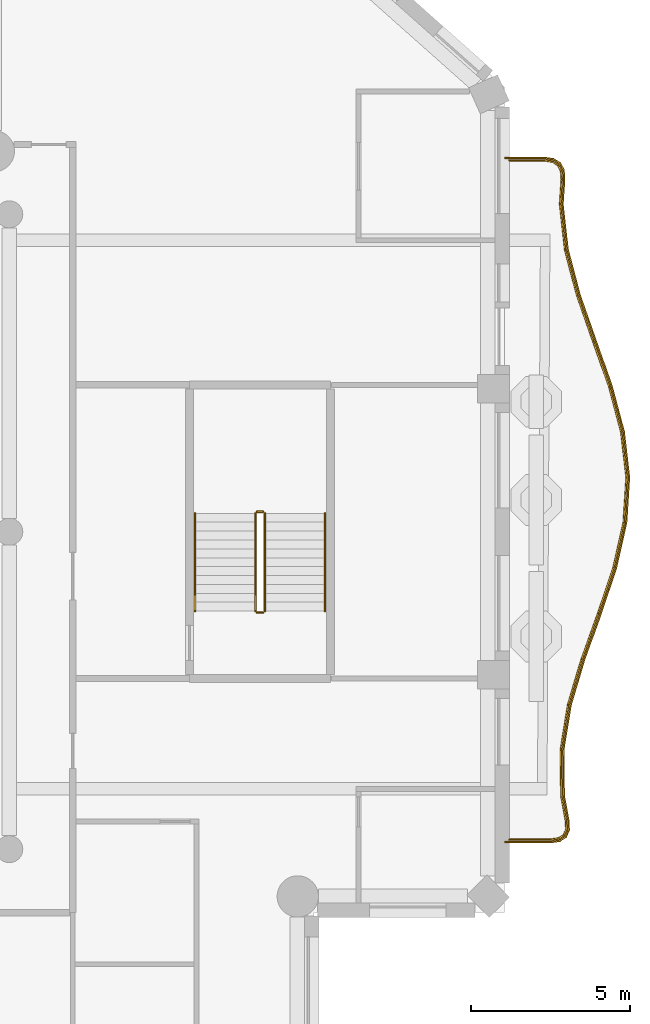
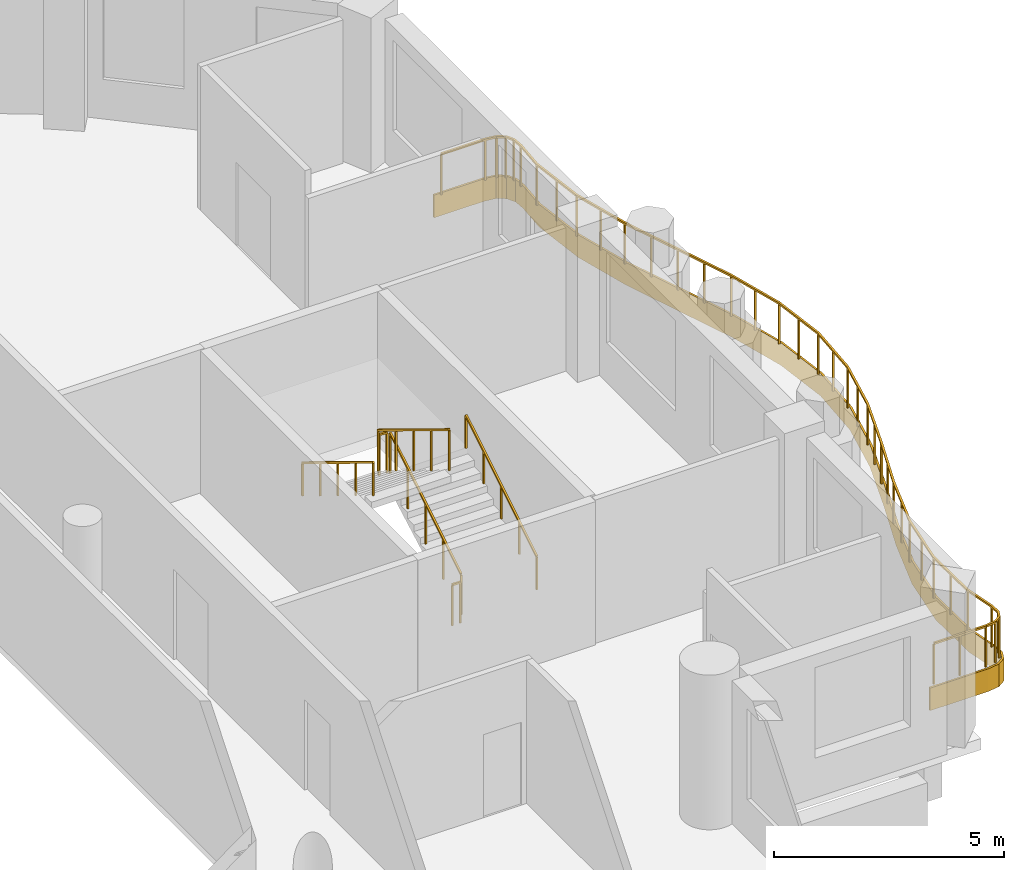
# One storey, part 12 of 14: 7 railings, 1 covering.
"""IFC4 building model written with IfcOpenShell, lengths in metres."""

from ifc_helpers import new_model, si_unit, direction, frame, origin, origin_2d, place, context, subcontext, project, spatial, polyline, rectangle, outline, extrude, material, layer, layer_set, type_object, element, save


model = new_model("IFC4")

# Units and contexts
model_context = context("Model", 3, precision=1e-05, world=origin(), true_north=direction((0.0, 1.0)))
body_context = subcontext(model_context, "Body", "Model", "MODEL_VIEW")
ifc_project = project(units=[si_unit("LENGTHUNIT", "METRE"), si_unit("AREAUNIT", "SQUARE_METRE"), si_unit("VOLUMEUNIT", "CUBIC_METRE"), si_unit("PLANEANGLEUNIT", "RADIAN"), si_unit("MASSUNIT", "GRAM", prefix="KILO")], contexts=[model_context])

# Site, building, storey
site_placement = place(None, origin())
site = spatial("IfcSite", under=ifc_project, at=site_placement, CompositionType="ELEMENT")
building_placement = place(site_placement, origin())
building = spatial("IfcBuilding", under=site, at=building_placement, Name="Cypress Arch Tower", CompositionType="ELEMENT")
storey_placement = place(building_placement, frame((0.0, 0.0, 280.300048828125)))
storey = spatial("IfcBuildingStorey", under=building, at=storey_placement, Name="L63", CompositionType="ELEMENT", Elevation=280.300048828125)

# Covering
ifc_material_1 = material(Name="White powder-coated aluminium fascia", Category="aluminium")
ifc_layer = layer(ifc_material_1, 0.050048828125)
ifc_layer_set = layer_set([ifc_layer], Name="Balcony fascia BF50")
covering_type = type_object("IfcCoveringType", Name="Balcony fascia BF50", PredefinedType="CLADDING", material=ifc_layer_set)
covering_placement = place(storey_placement, frame((0.0, 0.0, -0.60009765625)))
element("IfcCovering", 1, at=covering_placement, inside=storey, type_object=covering_type, Name="Balcony fascia L63-C17", PredefinedType="CLADDING", context=body_context, shape_type="SweptSolid", body=[
    extrude(outline(polyline([(25.85546875, 11.800048828125), (26.149658203125, 11.757568359375), (26.36376953125, 11.6240234375), (26.482666015625, 11.4013671875), (26.505126953125, 11.105224609375), (26.452392578125, 10.31787109375), (26.612060546875, 8.892578125), (26.98876953125, 7.464599609375), (27.490966796875, 6.033203125), (27.99609375, 4.59814453125), (28.3798828125, 3.159423828125), (28.547119140625, 1.718017578125), (28.456298828125, 0.276123046875), (28.130126953125, -1.16357421875), (27.6494140625, -2.599853515625), (27.132568359375, -4.0322265625), (26.706298828125, -5.461181640625), (26.474365234375, -6.886962890625), (26.492431640625, -8.311767578125), (26.637939453125, -9.099365234375), (26.64990234375, -9.396484375), (26.553955078125, -9.6220703125), (26.349365234375, -9.757568359375), (26.05517578125, -9.800048828125), (24.60107421875, -9.800048828125), (24.60107421875, -9.75), (26.051513671875, -9.75), (26.3310546875, -9.709716796875), (26.513671875, -9.5888671875), (26.599365234375, -9.38720703125), (26.588134765625, -9.10498046875), (26.4423828125, -8.316650390625), (26.42431640625, -6.88330078125), (26.657470703125, -5.449951171875), (27.085205078125, -4.0166015625), (27.602294921875, -2.583251953125), (28.081787109375, -1.14990234375), (28.40673828125, 0.283447265625), (28.4970703125, 1.716552734375), (28.33056640625, 3.14990234375), (27.9482421875, 4.583251953125), (27.44384765625, 6.0166015625), (26.94091796875, 7.449951171875), (26.562744140625, 8.88330078125), (26.402099609375, 10.316650390625), (26.455078125, 11.10498046875), (26.43359375, 11.38720703125), (26.325927734375, 11.5888671875), (26.132080078125, 11.709716796875), (25.851806640625, 11.75), (24.60107421875, 11.75), (24.60107421875, 11.800048828125), (25.85546875, 11.800048828125)])), origin(), (0.0, 0.0, 1.0), 0.60009765625),
])

# Railings
ifc_material_2 = material(Name="Powder-coated steel posts and rods, 100 mm clear between rods", Category="steel")
railing_type_1 = type_object("IfcRailingType", Name="Balcony guard GR1100", PredefinedType="GUARDRAIL", material=ifc_material_2)
railing_1_placement = place(storey_placement, frame((24.75, 11.699951171875, 0.0)))
element("IfcRailing", 2, at=railing_1_placement, inside=storey, type_object=railing_type_1, Name="Balcony guard L63-C17", PredefinedType="GUARDRAIL", context=body_context, shape_type="SweptSolid", body=[
    extrude(rectangle(XDim=0.050048828125, YDim=0.050048828125, at=origin_2d()), frame((0.0, 0.0, 1.0751953125), z_axis=(1.0, 0.0, 0.0), x_axis=(0.0, 1.0, 0.0)), (0.0, 0.0, 1.0), 1.098388671875),
    extrude(rectangle(XDim=0.050048828125, YDim=0.050048828125, at=origin_2d()), frame((1.098388671875, 0.0, 1.0751953125), z_axis=(0.989785381673, -0.14256541736, 0.0), x_axis=(0.14256541736, 0.989785381673, 0.0)), (0.0, 0.0, 1.0), 0.268798828125),
    extrude(rectangle(XDim=0.050048828125, YDim=0.050048828125, at=origin_2d()), frame((1.364501953125, -0.038330078125, 1.0751953125), z_axis=(0.848735174941, -0.528818118845, 0.0), x_axis=(0.528818118845, 0.848735174941, 0.0)), (0.0, 0.0, 1.0), 0.20458984375),
    extrude(rectangle(XDim=0.050048828125, YDim=0.050048828125, at=origin_2d()), frame((1.5380859375, -0.146484375, 1.0751953125), z_axis=(0.470897586762, -0.88218788406, 0.0), x_axis=(0.88218788406, 0.470897586762, 0.0)), (0.0, 0.0, 1.0), 0.204833984375),
    extrude(rectangle(XDim=0.050048828125, YDim=0.050048828125, at=origin_2d()), frame((1.634521484375, -0.3271484375, 1.0751953125), z_axis=(0.076279837613, -0.997086448797, 0.0), x_axis=(0.997086448797, 0.076279837613, 0.0)), (0.0, 0.0, 1.0), 0.268798828125),
    extrude(rectangle(XDim=0.050048828125, YDim=0.050048828125, at=origin_2d()), frame((1.655029296875, -0.59521484375, 1.0751953125), z_axis=(-0.06696963749, -0.997755013846, 0.0), x_axis=(0.997755013846, -0.06696963749, 0.0)), (0.0, 0.0, 1.0), 0.791015625),
    extrude(rectangle(XDim=0.050048828125, YDim=0.050048828125, at=origin_2d()), frame((1.60205078125, -1.384521484375, 1.0751953125), z_axis=(0.1112628489, -0.99379101347, 0.0), x_axis=(0.99379101347, 0.1112628489, 0.0)), (0.0, 0.0, 1.0), 1.450439453125),
    extrude(rectangle(XDim=0.050048828125, YDim=0.050048828125, at=origin_2d()), frame((1.763427734375, -2.825927734375, 1.0751953125), z_axis=(0.255139347822, -0.966904293709, 0.0), x_axis=(0.966904293709, 0.255139347822, 0.0)), (0.0, 0.0, 1.0), 1.488037109375),
    extrude(rectangle(XDim=0.050048828125, YDim=0.050048828125, at=origin_2d()), frame((2.14306640625, -4.2646484375, 1.0751953125), z_axis=(0.331115291581, -0.943590304995, 0.0), x_axis=(0.943590304995, 0.331115291581, 0.0)), (0.0, 0.0, 1.0), 1.52099609375),
    extrude(rectangle(XDim=0.050048828125, YDim=0.050048828125, at=origin_2d()), frame((2.646728515625, -5.699951171875, 1.0751953125), z_axis=(0.332062622472, -0.943257342806, 0.0), x_axis=(0.943257342806, 0.332062622472, 0.0)), (0.0, 0.0, 1.0), 1.517578125),
    extrude(rectangle(XDim=0.050048828125, YDim=0.050048828125, at=origin_2d()), frame((3.150634765625, -7.13134765625, 1.0751953125), z_axis=(0.257549543856, -0.966265094299, 0.0), x_axis=(0.966265094299, 0.257549543856, 0.0)), (0.0, 0.0, 1.0), 1.477783203125),
    extrude(rectangle(XDim=0.050048828125, YDim=0.050048828125, at=origin_2d()), frame((3.53125, -8.559326171875, 1.0751953125), z_axis=(0.115360307914, -0.993323713277, 0.0), x_axis=(0.993323713277, 0.115360307914, 0.0)), (0.0, 0.0, 1.0), 1.434814453125),
    extrude(rectangle(XDim=0.050048828125, YDim=0.050048828125, at=origin_2d()), frame((3.69677734375, -9.984619140625, 1.0751953125), z_axis=(-0.062761562336, -0.998028549839, 0.0), x_axis=(0.998028549839, -0.062761562336, 0.0)), (0.0, 0.0, 1.0), 1.427734375),
    extrude(rectangle(XDim=0.050048828125, YDim=0.050048828125, at=origin_2d()), frame((3.607177734375, -11.409423828125, 1.0751953125), z_axis=(-0.221080190505, -0.97525563283, 0.0), x_axis=(0.97525563283, -0.221080190505, 0.0)), (0.0, 0.0, 1.0), 1.463134765625),
    extrude(rectangle(XDim=0.050048828125, YDim=0.050048828125, at=origin_2d()), frame((3.28369140625, -12.83642578125, 1.0751953125), z_axis=(-0.317392865854, -0.948294136175, 0.0), x_axis=(0.948294136175, -0.317392865854, 0.0)), (0.0, 0.0, 1.0), 1.50830078125),
    extrude(rectangle(XDim=0.050048828125, YDim=0.050048828125, at=origin_2d()), frame((2.804931640625, -14.266845703125, 1.0751953125), z_axis=(-0.339337500822, -0.94066469081, 0.0), x_axis=(0.94066469081, -0.339337500822, 0.0)), (0.0, 0.0, 1.0), 1.524658203125),
    extrude(rectangle(XDim=0.050048828125, YDim=0.050048828125, at=origin_2d()), frame((2.28759765625, -15.700927734375, 1.0751953125), z_axis=(-0.285899496159, -0.958259608924, 0.0), x_axis=(0.958259608924, -0.285899496159, 0.0)), (0.0, 0.0, 1.0), 1.50048828125),
    extrude(rectangle(XDim=0.050048828125, YDim=0.050048828125, at=origin_2d()), frame((1.858642578125, -17.138671875, 1.0751953125), z_axis=(-0.160546781235, -0.987028232137, 0.0), x_axis=(0.987028232137, -0.160546781235, 0.0)), (0.0, 0.0, 1.0), 1.4599609375),
    extrude(rectangle(XDim=0.050048828125, YDim=0.050048828125, at=origin_2d()), frame((1.624267578125, -18.57958984375, 1.0751953125), z_axis=(0.012528647476, -0.999921513416, 0.0), x_axis=(0.999921513416, 0.012528647476, 0.0)), (0.0, 0.0, 1.0), 1.44189453125),
    extrude(rectangle(XDim=0.050048828125, YDim=0.050048828125, at=origin_2d()), frame((1.642333984375, -20.021484375, 1.0751953125), z_axis=(0.181936733473, -0.983310238436, 0.0), x_axis=(0.983310238436, 0.181936733473, 0.0)), (0.0, 0.0, 1.0), 0.802490234375),
    extrude(rectangle(XDim=0.050048828125, YDim=0.050048828125, at=origin_2d()), frame((1.788330078125, -20.810546875, 1.0751953125), z_axis=(0.040150247273, -0.999193653725, 0.0), x_axis=(0.999193653725, 0.040150247273, 0.0)), (0.0, 0.0, 1.0), 0.267578125),
    extrude(rectangle(XDim=0.050048828125, YDim=0.050048828125, at=origin_2d()), frame((1.799072265625, -21.077880859375, 1.0751953125), z_axis=(-0.391167446194, -0.920319525512, 0.0), x_axis=(0.920319525512, -0.391167446194, 0.0)), (0.0, 0.0, 1.0), 0.19287109375),
    extrude(rectangle(XDim=0.050048828125, YDim=0.050048828125, at=origin_2d()), frame((1.7236328125, -21.25537109375, 1.0751953125), z_axis=(-0.833992156546, -0.551776297806, 0.0), x_axis=(0.551776297806, -0.833992156546, 0.0)), (0.0, 0.0, 1.0), 0.19287109375),
    extrude(rectangle(XDim=0.050048828125, YDim=0.050048828125, at=origin_2d()), frame((1.562744140625, -21.36181640625, 1.0751953125), z_axis=(-0.989802869056, -0.142443955325, 0.0), x_axis=(0.142443955325, -0.989802869056, 0.0)), (0.0, 0.0, 1.0), 0.267333984375),
    extrude(rectangle(XDim=0.050048828125, YDim=0.050048828125, at=origin_2d()), frame((1.298095703125, -21.39990234375, 1.0751953125), z_axis=(-1.0, 0.0, 0.0), x_axis=(0.0, -1.0, 0.0)), (0.0, 0.0, 1.0), 1.298095703125),
    extrude(rectangle(XDim=0.0400390625, YDim=0.0400390625, at=origin_2d()), origin(), (0.0, 0.0, 1.0), 1.050048828125),
    extrude(rectangle(XDim=0.0400390625, YDim=0.0400390625, at=origin_2d()), frame((1.098388671875, 0.0, 0.0)), (0.0, 0.0, 1.0), 1.050048828125),
    extrude(rectangle(XDim=0.0400390625, YDim=0.0400390625, at=origin_2d()), frame((1.364501953125, -0.038330078125, 0.0)), (0.0, 0.0, 1.0), 1.050048828125),
    extrude(rectangle(XDim=0.0400390625, YDim=0.0400390625, at=origin_2d()), frame((1.5380859375, -0.146484375, 0.0)), (0.0, 0.0, 1.0), 1.050048828125),
    extrude(rectangle(XDim=0.0400390625, YDim=0.0400390625, at=origin_2d()), frame((1.634521484375, -0.3271484375, 0.0)), (0.0, 0.0, 1.0), 1.050048828125),
    extrude(rectangle(XDim=0.0400390625, YDim=0.0400390625, at=origin_2d()), frame((1.655029296875, -0.59521484375, 0.0)), (0.0, 0.0, 1.0), 1.050048828125),
    extrude(rectangle(XDim=0.0400390625, YDim=0.0400390625, at=origin_2d()), frame((1.60205078125, -1.384521484375, 0.0)), (0.0, 0.0, 1.0), 1.050048828125),
    extrude(rectangle(XDim=0.0400390625, YDim=0.0400390625, at=origin_2d()), frame((1.6826171875, -2.105224609375, 0.0)), (0.0, 0.0, 1.0), 1.050048828125),
    extrude(rectangle(XDim=0.0400390625, YDim=0.0400390625, at=origin_2d()), frame((1.763427734375, -2.825927734375, 0.0)), (0.0, 0.0, 1.0), 1.050048828125),
    extrude(rectangle(XDim=0.0400390625, YDim=0.0400390625, at=origin_2d()), frame((1.953125, -3.54541015625, 0.0)), (0.0, 0.0, 1.0), 1.050048828125),
    extrude(rectangle(XDim=0.0400390625, YDim=0.0400390625, at=origin_2d()), frame((2.14306640625, -4.2646484375, 0.0)), (0.0, 0.0, 1.0), 1.050048828125),
    extrude(rectangle(XDim=0.0400390625, YDim=0.0400390625, at=origin_2d()), frame((2.39501953125, -4.982421875, 0.0)), (0.0, 0.0, 1.0), 1.050048828125),
    extrude(rectangle(XDim=0.0400390625, YDim=0.0400390625, at=origin_2d()), frame((2.646728515625, -5.699951171875, 0.0)), (0.0, 0.0, 1.0), 1.050048828125),
    extrude(rectangle(XDim=0.0400390625, YDim=0.0400390625, at=origin_2d()), frame((2.898681640625, -6.41552734375, 0.0)), (0.0, 0.0, 1.0), 1.050048828125),
    extrude(rectangle(XDim=0.0400390625, YDim=0.0400390625, at=origin_2d()), frame((3.150634765625, -7.13134765625, 0.0)), (0.0, 0.0, 1.0), 1.050048828125),
    extrude(rectangle(XDim=0.0400390625, YDim=0.0400390625, at=origin_2d()), frame((3.3408203125, -7.84521484375, 0.0)), (0.0, 0.0, 1.0), 1.050048828125),
    extrude(rectangle(XDim=0.0400390625, YDim=0.0400390625, at=origin_2d()), frame((3.53125, -8.559326171875, 0.0)), (0.0, 0.0, 1.0), 1.050048828125),
    extrude(rectangle(XDim=0.0400390625, YDim=0.0400390625, at=origin_2d()), frame((3.614013671875, -9.27197265625, 0.0)), (0.0, 0.0, 1.0), 1.050048828125),
    extrude(rectangle(XDim=0.0400390625, YDim=0.0400390625, at=origin_2d()), frame((3.69677734375, -9.984619140625, 0.0)), (0.0, 0.0, 1.0), 1.050048828125),
    extrude(rectangle(XDim=0.0400390625, YDim=0.0400390625, at=origin_2d()), frame((3.65185546875, -10.697021484375, 0.0)), (0.0, 0.0, 1.0), 1.050048828125),
    extrude(rectangle(XDim=0.0400390625, YDim=0.0400390625, at=origin_2d()), frame((3.607177734375, -11.409423828125, 0.0)), (0.0, 0.0, 1.0), 1.050048828125),
    extrude(rectangle(XDim=0.0400390625, YDim=0.0400390625, at=origin_2d()), frame((3.4453125, -12.123046875, 0.0)), (0.0, 0.0, 1.0), 1.050048828125),
    extrude(rectangle(XDim=0.0400390625, YDim=0.0400390625, at=origin_2d()), frame((3.28369140625, -12.83642578125, 0.0)), (0.0, 0.0, 1.0), 1.050048828125),
    extrude(rectangle(XDim=0.0400390625, YDim=0.0400390625, at=origin_2d()), frame((3.04443359375, -13.5517578125, 0.0)), (0.0, 0.0, 1.0), 1.050048828125),
    extrude(rectangle(XDim=0.0400390625, YDim=0.0400390625, at=origin_2d()), frame((2.804931640625, -14.266845703125, 0.0)), (0.0, 0.0, 1.0), 1.050048828125),
    extrude(rectangle(XDim=0.0400390625, YDim=0.0400390625, at=origin_2d()), frame((2.54638671875, -14.98388671875, 0.0)), (0.0, 0.0, 1.0), 1.050048828125),
    extrude(rectangle(XDim=0.0400390625, YDim=0.0400390625, at=origin_2d()), frame((2.28759765625, -15.700927734375, 0.0)), (0.0, 0.0, 1.0), 1.050048828125),
    extrude(rectangle(XDim=0.0400390625, YDim=0.0400390625, at=origin_2d()), frame((2.0732421875, -16.419921875, 0.0)), (0.0, 0.0, 1.0), 1.050048828125),
    extrude(rectangle(XDim=0.0400390625, YDim=0.0400390625, at=origin_2d()), frame((1.858642578125, -17.138671875, 0.0)), (0.0, 0.0, 1.0), 1.050048828125),
    extrude(rectangle(XDim=0.0400390625, YDim=0.0400390625, at=origin_2d()), frame((1.741455078125, -17.859130859375, 0.0)), (0.0, 0.0, 1.0), 1.050048828125),
    extrude(rectangle(XDim=0.0400390625, YDim=0.0400390625, at=origin_2d()), frame((1.624267578125, -18.57958984375, 0.0)), (0.0, 0.0, 1.0), 1.050048828125),
    extrude(rectangle(XDim=0.0400390625, YDim=0.0400390625, at=origin_2d()), frame((1.63330078125, -19.300537109375, 0.0)), (0.0, 0.0, 1.0), 1.050048828125),
    extrude(rectangle(XDim=0.0400390625, YDim=0.0400390625, at=origin_2d()), frame((1.642333984375, -20.021484375, 0.0)), (0.0, 0.0, 1.0), 1.050048828125),
    extrude(rectangle(XDim=0.0400390625, YDim=0.0400390625, at=origin_2d()), frame((1.788330078125, -20.810546875, 0.0)), (0.0, 0.0, 1.0), 1.050048828125),
    extrude(rectangle(XDim=0.0400390625, YDim=0.0400390625, at=origin_2d()), frame((1.799072265625, -21.077880859375, 0.0)), (0.0, 0.0, 1.0), 1.050048828125),
    extrude(rectangle(XDim=0.0400390625, YDim=0.0400390625, at=origin_2d()), frame((1.7236328125, -21.25537109375, 0.0)), (0.0, 0.0, 1.0), 1.050048828125),
    extrude(rectangle(XDim=0.0400390625, YDim=0.0400390625, at=origin_2d()), frame((1.562744140625, -21.36181640625, 0.0)), (0.0, 0.0, 1.0), 1.050048828125),
    extrude(rectangle(XDim=0.0400390625, YDim=0.0400390625, at=origin_2d()), frame((1.298095703125, -21.39990234375, 0.0)), (0.0, 0.0, 1.0), 1.050048828125),
    extrude(rectangle(XDim=0.0400390625, YDim=0.0400390625, at=origin_2d()), frame((0.64892578125, -21.39990234375, 0.0)), (0.0, 0.0, 1.0), 1.050048828125),
    extrude(rectangle(XDim=0.0400390625, YDim=0.0400390625, at=origin_2d()), frame((0.0, -21.39990234375, 0.0)), (0.0, 0.0, 1.0), 1.050048828125),
])
ifc_material_3 = material(Name="Black powder-coated steel square bar 48 mm", Category="steel")
railing_type_2 = type_object("IfcRailingType", Name="Stair handrail HR1", PredefinedType="HANDRAIL", material=ifc_material_3)
railing_2_placement = place(storey_placement, frame((18.949951171875, -2.5, 0.1708984375)))
element("IfcRailing", 3, at=railing_2_placement, inside=storey, type_object=railing_type_2, Name="L63 C stair handrail 1", PredefinedType="HANDRAIL", context=body_context, shape_type="SweptSolid", body=[
    extrude(rectangle(XDim=0.048095703125, YDim=0.048095703125, at=origin_2d()), frame((0.0, 0.0, 0.8759765625), z_axis=(0.0, 0.853666305674, 0.52082035152), x_axis=(-1.0, 0.0, 0.0)), (0.0, 0.0, 1.0), 3.608154296875),
    extrude(rectangle(XDim=0.0419921875, YDim=0.0419921875, at=origin_2d()), origin(), (0.0, 0.0, 1.0), 0.851806640625),
    extrude(rectangle(XDim=0.0419921875, YDim=0.0419921875, at=origin_2d()), frame((0.0, 0.77001953125, 0.4697265625)), (0.0, 0.0, 1.0), 0.851806640625),
    extrude(rectangle(XDim=0.0419921875, YDim=0.0419921875, at=origin_2d()), frame((0.0, 1.5400390625, 0.939453125)), (0.0, 0.0, 1.0), 0.851806640625),
    extrude(rectangle(XDim=0.0419921875, YDim=0.0419921875, at=origin_2d()), frame((0.0, 2.31005859375, 1.409423828125)), (0.0, 0.0, 1.0), 0.851806640625),
    extrude(rectangle(XDim=0.0419921875, YDim=0.0419921875, at=origin_2d()), frame((0.0, 3.080078125, 1.879150390625)), (0.0, 0.0, 1.0), 0.851806640625),
])
railing_3_placement = place(storey_placement, frame((14.85009765625, 0.580078125, 2.220703125)))
element("IfcRailing", 4, at=railing_3_placement, inside=storey, type_object=railing_type_2, Name="L63 C stair handrail 2", PredefinedType="HANDRAIL", context=body_context, shape_type="SweptSolid", body=[
    extrude(rectangle(XDim=0.048095703125, YDim=0.048095703125, at=origin_2d()), frame((0.0, 0.0, 0.8759765625), z_axis=(0.0, -0.853666305674, 0.52082035152), x_axis=(1.0, 0.0, 0.0)), (0.0, 0.0, 1.0), 3.608154296875),
    extrude(rectangle(XDim=0.0419921875, YDim=0.0419921875, at=origin_2d()), origin(), (0.0, 0.0, 1.0), 0.851806640625),
    extrude(rectangle(XDim=0.0419921875, YDim=0.0419921875, at=origin_2d()), frame((0.0, -0.77001953125, 0.4697265625)), (0.0, 0.0, 1.0), 0.851806640625),
    extrude(rectangle(XDim=0.0419921875, YDim=0.0419921875, at=origin_2d()), frame((0.0, -1.5400390625, 0.939453125)), (0.0, 0.0, 1.0), 0.851806640625),
    extrude(rectangle(XDim=0.0419921875, YDim=0.0419921875, at=origin_2d()), frame((0.0, -2.31005859375, 1.409423828125)), (0.0, 0.0, 1.0), 0.851806640625),
    extrude(rectangle(XDim=0.0419921875, YDim=0.0419921875, at=origin_2d()), frame((0.0, -3.080078125, 1.879150390625)), (0.0, 0.0, 1.0), 0.851806640625),
])
ifc_material_4 = material(Name="Black powder-coated steel balusters", Category="steel")
railing_type_3 = type_object("IfcRailingType", Name="Stair well guard G1", PredefinedType="GUARDRAIL", material=ifc_material_4)
railing_4_placement = place(storey_placement, frame((17.050048828125, -2.5, 0.1708984375)))
element("IfcRailing", 5, at=railing_4_placement, inside=storey, type_object=railing_type_3, Name="L63 C stair guard 1", PredefinedType="GUARDRAIL", context=body_context, shape_type="SweptSolid", body=[
    extrude(rectangle(XDim=0.048095703125, YDim=0.048095703125, at=origin_2d()), frame((0.0, 0.0, 1.076171875), z_axis=(0.0, 0.853666305674, 0.52082035152), x_axis=(-1.0, 0.0, 0.0)), (0.0, 0.0, 1.0), 3.608154296875),
    extrude(rectangle(XDim=0.0419921875, YDim=0.0419921875, at=origin_2d()), origin(), (0.0, 0.0, 1.0), 1.052001953125),
    extrude(rectangle(XDim=0.0419921875, YDim=0.0419921875, at=origin_2d()), frame((0.0, 0.77001953125, 0.4697265625)), (0.0, 0.0, 1.0), 1.052001953125),
    extrude(rectangle(XDim=0.0419921875, YDim=0.0419921875, at=origin_2d()), frame((0.0, 1.5400390625, 0.939453125)), (0.0, 0.0, 1.0), 1.052001953125),
    extrude(rectangle(XDim=0.0419921875, YDim=0.0419921875, at=origin_2d()), frame((0.0, 2.31005859375, 1.409423828125)), (0.0, 0.0, 1.0), 1.052001953125),
    extrude(rectangle(XDim=0.0419921875, YDim=0.0419921875, at=origin_2d()), frame((0.0, 3.080078125, 1.879150390625)), (0.0, 0.0, 1.0), 1.052001953125),
])
railing_5_placement = place(storey_placement, frame((17.0, 0.6298828125, 2.050048828125)))
element("IfcRailing", 6, at=railing_5_placement, inside=storey, type_object=railing_type_3, Name="L63 C stair guard 2", PredefinedType="GUARDRAIL", context=body_context, shape_type="SweptSolid", body=[
    extrude(rectangle(XDim=0.048095703125, YDim=0.048095703125, at=origin_2d()), frame((0.0, 0.0, 1.076171875), z_axis=(-1.0, 0.0, 0.0), x_axis=(0.0, -1.0, 0.0)), (0.0, 0.0, 1.0), 0.199951171875),
    extrude(rectangle(XDim=0.0419921875, YDim=0.0419921875, at=origin_2d()), origin(), (0.0, 0.0, 1.0), 1.052001953125),
    extrude(rectangle(XDim=0.0419921875, YDim=0.0419921875, at=origin_2d()), frame((-0.199951171875, 0.0, 0.0)), (0.0, 0.0, 1.0), 1.052001953125),
])
railing_6_placement = place(storey_placement, frame((16.75, 0.580078125, 2.220703125)))
element("IfcRailing", 7, at=railing_6_placement, inside=storey, type_object=railing_type_3, Name="L63 C stair guard 3", PredefinedType="GUARDRAIL", context=body_context, shape_type="SweptSolid", body=[
    extrude(rectangle(XDim=0.048095703125, YDim=0.048095703125, at=origin_2d()), frame((0.0, 0.0, 1.076171875), z_axis=(0.0, -0.853666305674, 0.52082035152), x_axis=(1.0, 0.0, 0.0)), (0.0, 0.0, 1.0), 3.608154296875),
    extrude(rectangle(XDim=0.0419921875, YDim=0.0419921875, at=origin_2d()), origin(), (0.0, 0.0, 1.0), 1.052001953125),
    extrude(rectangle(XDim=0.0419921875, YDim=0.0419921875, at=origin_2d()), frame((0.0, -0.77001953125, 0.4697265625)), (0.0, 0.0, 1.0), 1.052001953125),
    extrude(rectangle(XDim=0.0419921875, YDim=0.0419921875, at=origin_2d()), frame((0.0, -1.5400390625, 0.939453125)), (0.0, 0.0, 1.0), 1.052001953125),
    extrude(rectangle(XDim=0.0419921875, YDim=0.0419921875, at=origin_2d()), frame((0.0, -2.31005859375, 1.409423828125)), (0.0, 0.0, 1.0), 1.052001953125),
    extrude(rectangle(XDim=0.0419921875, YDim=0.0419921875, at=origin_2d()), frame((0.0, -3.080078125, 1.879150390625)), (0.0, 0.0, 1.0), 1.052001953125),
])
railing_7_placement = place(storey_placement, frame((17.0, -2.550048828125, 0.0)))
element("IfcRailing", 8, at=railing_7_placement, inside=storey, type_object=railing_type_3, Name="L63 C stair guard 4", PredefinedType="GUARDRAIL", context=body_context, shape_type="SweptSolid", body=[
    extrude(rectangle(XDim=0.048095703125, YDim=0.048095703125, at=origin_2d()), frame((0.0, 0.0, 1.076171875), z_axis=(-1.0, 0.0, 0.0), x_axis=(0.0, -1.0, 0.0)), (0.0, 0.0, 1.0), 0.199951171875),
    extrude(rectangle(XDim=0.0419921875, YDim=0.0419921875, at=origin_2d()), origin(), (0.0, 0.0, 1.0), 1.052001953125),
    extrude(rectangle(XDim=0.0419921875, YDim=0.0419921875, at=origin_2d()), frame((-0.199951171875, 0.0, 0.0)), (0.0, 0.0, 1.0), 1.052001953125),
])

save(model, "model.ifc")
